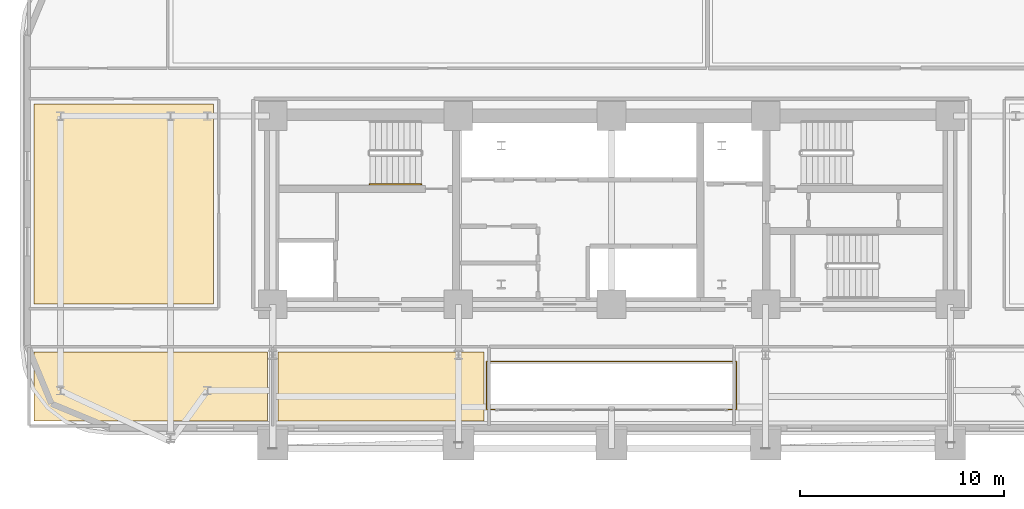
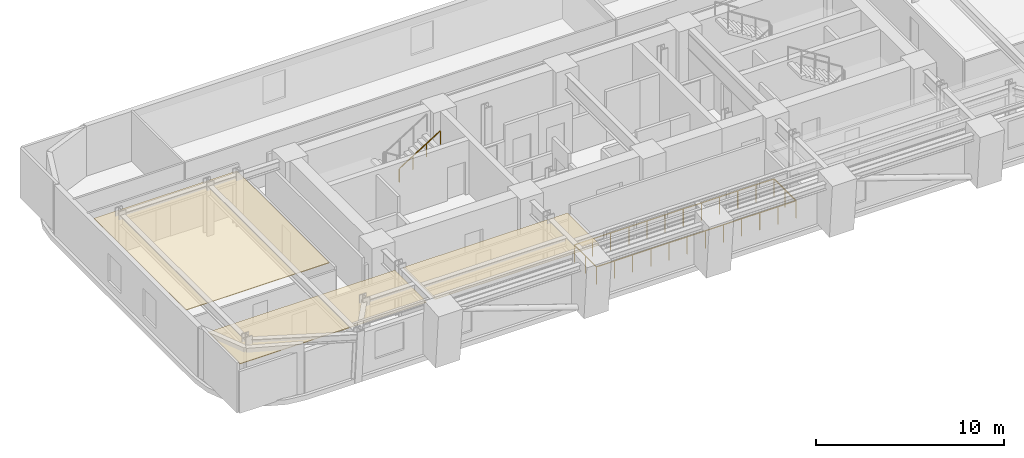
# One storey, part 12 of 15: 3 coverings, 2 railings.
"""IFC4 building model written with IfcOpenShell, lengths in metres."""

from ifc_helpers import new_model, si_unit, direction, frame, origin, origin_2d, place, context, subcontext, project, spatial, polyline, rectangle, outline, extrude, material, layer, layer_set, type_object, element, save


model = new_model("IFC4")

# Units and contexts
model_context = context("Model", 3, precision=1e-05, world=origin(), true_north=direction((0.0, 1.0)))
body_context = subcontext(model_context, "Body", "Model", "MODEL_VIEW")
ifc_project = project(units=[si_unit("LENGTHUNIT", "METRE"), si_unit("AREAUNIT", "SQUARE_METRE"), si_unit("VOLUMEUNIT", "CUBIC_METRE"), si_unit("PLANEANGLEUNIT", "RADIAN"), si_unit("MASSUNIT", "GRAM", prefix="KILO")], contexts=[model_context])

# Site, building, storey
site_placement = place(None, origin())
site = spatial("IfcSite", under=ifc_project, at=site_placement, CompositionType="ELEMENT")
building_placement = place(site_placement, origin())
building = spatial("IfcBuilding", under=site, at=building_placement, Name="Zarnavel Station Tower", CompositionType="ELEMENT")
storey_placement = place(building_placement, frame((0.0, 0.0, 57.0)))
storey = spatial("IfcBuildingStorey", under=building, at=storey_placement, Name="L15", CompositionType="ELEMENT", Elevation=57.0)

# Coverings
ifc_material_1 = material(Name="Perforated Gypsum and Mineral-Wool Acoustic Ceiling", Category="concrete")
ifc_layer = layer(ifc_material_1, 0.0400390625)
ifc_layer_set = layer_set([ifc_layer], Name="COV_CEIL_ACOUSTIC")
covering_type = type_object("IfcCoveringType", Name="COV_CEIL_ACOUSTIC", PredefinedType="CEILING", material=ifc_layer_set)
covering_1_placement = place(storey_placement, frame((0.0, 0.0, 2.919921875)))
element("IfcCovering", 1, at=covering_1_placement, inside=storey, type_object=covering_type, Name="L15 FNW4 Acoustic Ceiling", PredefinedType="CEILING", context=body_context, shape_type="SweptSolid", body=[
    extrude(outline(polyline([(0.510009765625, 27.85009765625), (9.300048828125, 27.85009765625), (9.300048828125, 37.64990234375), (0.510009765625, 37.64990234375), (0.510009765625, 27.85009765625)])), origin(), (0.0, 0.0, 1.0), 0.0400390625),
])
covering_2_placement = place(storey_placement, frame((0.0, 0.0, 2.919921875)))
element("IfcCovering", 2, at=covering_2_placement, inside=storey, type_object=covering_type, Name="L15 Z1GAL Acoustic Ceiling", PredefinedType="CEILING", context=body_context, shape_type="SweptSolid", body=[
    extrude(outline(polyline([(0.510009765625, 22.110107421875), (11.949951171875, 22.110107421875), (11.949951171875, 25.5), (0.510009765625, 25.5), (0.510009765625, 22.110107421875)])), origin(), (0.0, 0.0, 1.0), 0.0400390625),
])
covering_3_placement = place(storey_placement, frame((0.0, 0.0, 2.919921875)))
element("IfcCovering", 3, at=covering_3_placement, inside=storey, type_object=covering_type, Name="L15 Z1LIB Acoustic Ceiling", PredefinedType="CEILING", context=body_context, shape_type="SweptSolid", body=[
    extrude(outline(polyline([(12.449951171875, 22.110107421875), (22.550048828125, 22.110107421875), (22.550048828125, 25.5), (12.449951171875, 25.5), (12.449951171875, 22.110107421875)])), origin(), (0.0, 0.0, 1.0), 0.0400390625),
])

# Railings
ifc_material_2 = material(Name="Painted Steel S355J2 Balustrade", Category="steel")
railing_type_1 = type_object("IfcRailingType", Name="GR_INT_1150", PredefinedType="GUARDRAIL", material=ifc_material_2)
railing_1_placement = place(storey_placement, frame((22.679931640625, 22.679931640625, 0.0)))
element("IfcRailing", 4, at=railing_1_placement, inside=storey, type_object=railing_type_1, Name="L15 Atrium Void Guardrail", PredefinedType="GUARDRAIL", context=body_context, shape_type="SweptSolid", body=[
    extrude(rectangle(XDim=0.048095703125, YDim=0.048095703125, at=origin_2d()), frame((0.001953125, 0.0, 1.1259765625), z_axis=(1.0, 0.0, 0.0), x_axis=(0.0, 1.0, 0.0)), (0.0, 0.0, 1.0), 12.236083984375),
    extrude(rectangle(XDim=0.048095703125, YDim=0.048095703125, at=origin_2d()), frame((12.239990234375, 0.001953125, 1.1259765625), z_axis=(0.0, 1.0, 0.0), x_axis=(-1.0, 0.0, 0.0)), (0.0, 0.0, 1.0), 2.336181640625),
    extrude(rectangle(XDim=0.048095703125, YDim=0.048095703125, at=origin_2d()), frame((12.238037109375, 2.340087890625, 1.1259765625), z_axis=(-1.0, 0.0, 0.0), x_axis=(0.0, -1.0, 0.0)), (0.0, 0.0, 1.0), 12.236083984375),
    extrude(rectangle(XDim=0.048095703125, YDim=0.048095703125, at=origin_2d()), frame((0.0, 2.338134765625, 1.1259765625), z_axis=(0.0, -1.0, 0.0), x_axis=(1.0, 0.0, 0.0)), (0.0, 0.0, 1.0), 2.336181640625),
    extrude(rectangle(XDim=0.0419921875, YDim=0.0419921875, at=origin_2d()), origin(), (0.0, 0.0, 1.0), 1.101806640625),
    extrude(rectangle(XDim=0.0419921875, YDim=0.0419921875, at=origin_2d()), frame((1.11279296875, 0.0, 0.0)), (0.0, 0.0, 1.0), 1.101806640625),
    extrude(rectangle(XDim=0.0419921875, YDim=0.0419921875, at=origin_2d()), frame((2.225341796875, 0.0, 0.0)), (0.0, 0.0, 1.0), 1.101806640625),
    extrude(rectangle(XDim=0.0419921875, YDim=0.0419921875, at=origin_2d()), frame((3.338134765625, 0.0, 0.0)), (0.0, 0.0, 1.0), 1.101806640625),
    extrude(rectangle(XDim=0.0419921875, YDim=0.0419921875, at=origin_2d()), frame((4.450927734375, 0.0, 0.0)), (0.0, 0.0, 1.0), 1.101806640625),
    extrude(rectangle(XDim=0.0419921875, YDim=0.0419921875, at=origin_2d()), frame((5.563720703125, 0.0, 0.0)), (0.0, 0.0, 1.0), 1.101806640625),
    extrude(rectangle(XDim=0.0419921875, YDim=0.0419921875, at=origin_2d()), frame((6.67626953125, 0.0, 0.0)), (0.0, 0.0, 1.0), 1.101806640625),
    extrude(rectangle(XDim=0.0419921875, YDim=0.0419921875, at=origin_2d()), frame((7.7890625, 0.0, 0.0)), (0.0, 0.0, 1.0), 1.101806640625),
    extrude(rectangle(XDim=0.0419921875, YDim=0.0419921875, at=origin_2d()), frame((8.90185546875, 0.0, 0.0)), (0.0, 0.0, 1.0), 1.101806640625),
    extrude(rectangle(XDim=0.0419921875, YDim=0.0419921875, at=origin_2d()), frame((10.0146484375, 0.0, 0.0)), (0.0, 0.0, 1.0), 1.101806640625),
    extrude(rectangle(XDim=0.0419921875, YDim=0.0419921875, at=origin_2d()), frame((11.127197265625, 0.0, 0.0)), (0.0, 0.0, 1.0), 1.101806640625),
    extrude(rectangle(XDim=0.0419921875, YDim=0.0419921875, at=origin_2d()), frame((12.239990234375, 0.0, 0.0)), (0.0, 0.0, 1.0), 1.101806640625),
    extrude(rectangle(XDim=0.0419921875, YDim=0.0419921875, at=origin_2d()), frame((12.239990234375, 1.169921875, 0.0)), (0.0, 0.0, 1.0), 1.101806640625),
    extrude(rectangle(XDim=0.0419921875, YDim=0.0419921875, at=origin_2d()), frame((12.239990234375, 2.340087890625, 0.0)), (0.0, 0.0, 1.0), 1.101806640625),
    extrude(rectangle(XDim=0.0419921875, YDim=0.0419921875, at=origin_2d()), frame((11.127197265625, 2.340087890625, 0.0)), (0.0, 0.0, 1.0), 1.101806640625),
    extrude(rectangle(XDim=0.0419921875, YDim=0.0419921875, at=origin_2d()), frame((10.0146484375, 2.340087890625, 0.0)), (0.0, 0.0, 1.0), 1.101806640625),
    extrude(rectangle(XDim=0.0419921875, YDim=0.0419921875, at=origin_2d()), frame((8.90185546875, 2.340087890625, 0.0)), (0.0, 0.0, 1.0), 1.101806640625),
    extrude(rectangle(XDim=0.0419921875, YDim=0.0419921875, at=origin_2d()), frame((7.7890625, 2.340087890625, 0.0)), (0.0, 0.0, 1.0), 1.101806640625),
    extrude(rectangle(XDim=0.0419921875, YDim=0.0419921875, at=origin_2d()), frame((6.67626953125, 2.340087890625, 0.0)), (0.0, 0.0, 1.0), 1.101806640625),
    extrude(rectangle(XDim=0.0419921875, YDim=0.0419921875, at=origin_2d()), frame((5.563720703125, 2.340087890625, 0.0)), (0.0, 0.0, 1.0), 1.101806640625),
    extrude(rectangle(XDim=0.0419921875, YDim=0.0419921875, at=origin_2d()), frame((4.450927734375, 2.340087890625, 0.0)), (0.0, 0.0, 1.0), 1.101806640625),
    extrude(rectangle(XDim=0.0419921875, YDim=0.0419921875, at=origin_2d()), frame((3.338134765625, 2.340087890625, 0.0)), (0.0, 0.0, 1.0), 1.101806640625),
    extrude(rectangle(XDim=0.0419921875, YDim=0.0419921875, at=origin_2d()), frame((2.225341796875, 2.340087890625, 0.0)), (0.0, 0.0, 1.0), 1.101806640625),
    extrude(rectangle(XDim=0.0419921875, YDim=0.0419921875, at=origin_2d()), frame((1.11279296875, 2.340087890625, 0.0)), (0.0, 0.0, 1.0), 1.101806640625),
    extrude(rectangle(XDim=0.0419921875, YDim=0.0419921875, at=origin_2d()), frame((0.0, 2.340087890625, 0.0)), (0.0, 0.0, 1.0), 1.101806640625),
    extrude(rectangle(XDim=0.0419921875, YDim=0.0419921875, at=origin_2d()), frame((0.0, 1.169921875, 0.0)), (0.0, 0.0, 1.0), 1.101806640625),
])
ifc_material_3 = material(Name="Brushed Stainless Steel S355J2 Handrail", Category="steel")
railing_type_2 = type_object("IfcRailingType", Name="HR_STAIR_900", PredefinedType="HANDRAIL", material=ifc_material_3)
railing_2_placement = place(storey_placement, frame((16.9599609375, 33.7099609375, 1.925048828125)))
element("IfcRailing", 5, at=railing_2_placement, inside=storey, type_object=railing_type_2, Name="L15 ST1 stair handrail 2", PredefinedType="HANDRAIL", context=body_context, shape_type="SweptSolid", body=[
    extrude(rectangle(XDim=0.048095703125, YDim=0.048095703125, at=origin_2d()), frame((0.001708984375, 0.0, 0.876953125), z_axis=(0.848007534815, 0.0, 0.529984170421), x_axis=(0.0, 1.0, 0.0)), (0.0, 0.0, 1.0), 2.9677734375),
    extrude(rectangle(XDim=0.0419921875, YDim=0.0419921875, at=origin_2d()), origin(), (0.0, 0.0, 1.0), 0.851806640625),
    extrude(rectangle(XDim=0.0419921875, YDim=0.0419921875, at=origin_2d()), frame((0.840087890625, 0.0, 0.52490234375)), (0.0, 0.0, 1.0), 0.851806640625),
    extrude(rectangle(XDim=0.0419921875, YDim=0.0419921875, at=origin_2d()), frame((1.679931640625, 0.0, 1.050048828125)), (0.0, 0.0, 1.0), 0.851806640625),
    extrude(rectangle(XDim=0.0419921875, YDim=0.0419921875, at=origin_2d()), frame((2.52001953125, 0.0, 1.574951171875)), (0.0, 0.0, 1.0), 0.851806640625),
])

save(model, "model.ifc")
